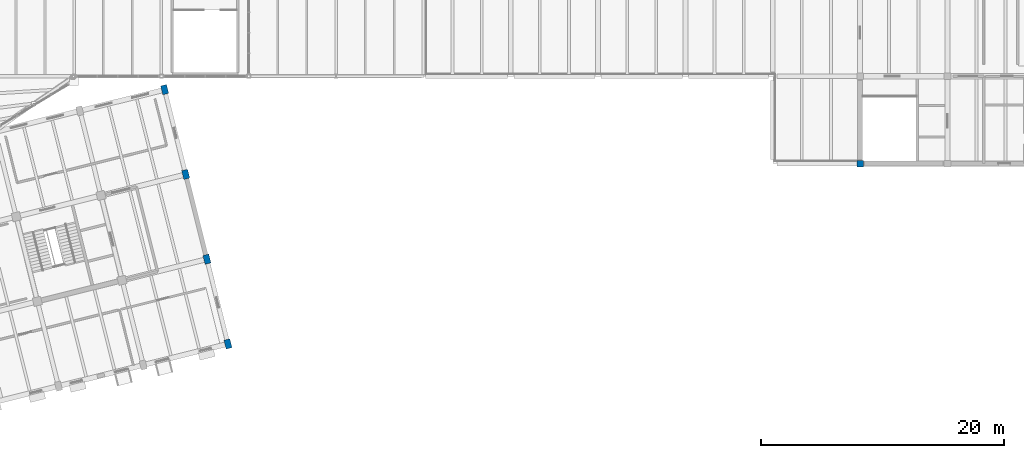
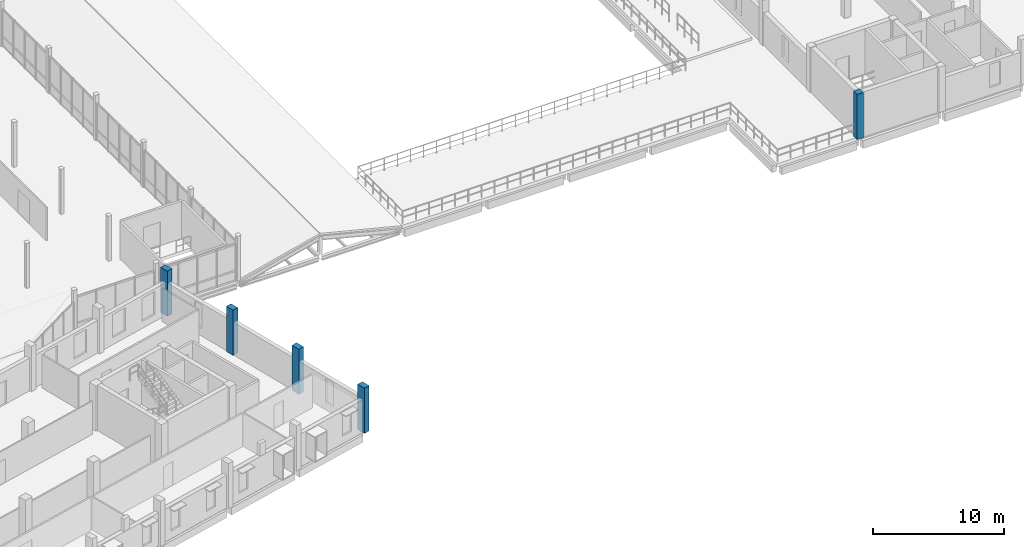
# One storey, part 4 of 63: 5 columns.
"""IFC4 building model written with IfcOpenShell, lengths in metres."""

from ifc_helpers import new_model, si_unit, direction, frame, origin, origin_2d, place, context, subcontext, project, spatial, rectangle, extrude, material, material_profile, profile_set, type_object, element, save


model = new_model("IFC4")

# Units and contexts
model_context = context("Model", 3, precision=1e-05, world=origin(), true_north=direction((0.0, 1.0)))
body_context = subcontext(model_context, "Body", "Model", "MODEL_VIEW")
ifc_project = project(units=[si_unit("LENGTHUNIT", "METRE"), si_unit("AREAUNIT", "SQUARE_METRE"), si_unit("VOLUMEUNIT", "CUBIC_METRE"), si_unit("PLANEANGLEUNIT", "RADIAN"), si_unit("MASSUNIT", "GRAM", prefix="KILO")], contexts=[model_context])

# Site, building, storey
site_placement = place(None, origin())
site = spatial("IfcSite", under=ifc_project, at=site_placement, CompositionType="ELEMENT")
building_placement = place(site_placement, origin())
building = spatial("IfcBuilding", under=site, at=building_placement, Name="Qiaolan Assembly House", CompositionType="ELEMENT")
storey_placement = place(building_placement, frame((0.0, 0.0, 14.39990234375)))
storey = spatial("IfcBuildingStorey", under=building, at=storey_placement, Name="L03", CompositionType="ELEMENT", Elevation=14.39990234375)

# Columns
ifc_material_1 = material(Name="Concrete C40/50", Category="concrete")
ifc_material_profile_1 = material_profile(ifc_material_1, rectangle(XDim=0.550048828125, YDim=0.550048828125, at=origin_2d()), Name="RC 550x550")
ifc_profile_set_1 = profile_set([ifc_material_profile_1], Name="Concrete C40/50")
column_type_1 = type_object("IfcColumnType", Name="COL-RC-550", PredefinedType="COLUMN", material=ifc_profile_set_1)
column_placement = place(storey_placement, frame((144.0, 28.800048828125, 0.0), z_axis=(0.0, 0.0, 1.0), x_axis=(1.0, 0.0, 0.0)))
element("IfcColumn", 1, at=column_placement, inside=storey, type_object=column_type_1, Name="RC-10 library column L03", PredefinedType="COLUMN", context=body_context, shape_type="SweptSolid", body=[
    extrude(rectangle(XDim=0.550048828125, YDim=0.550048828125, at=origin_2d()), origin(), (0.0, 0.0, 1.0), 4.2001953125),
])
ifc_material_2 = material(Name="Concrete C45/55", Category="concrete")
ifc_material_profile_2 = material_profile(ifc_material_2, rectangle(XDim=0.5, YDim=0.75, at=origin_2d()), Name="RC 750x500")
ifc_profile_set_2 = profile_set([ifc_material_profile_2], Name="Concrete C45/55")
column_type_2 = type_object("IfcColumnType", Name="COL-RC-750x500", PredefinedType="COLUMN", material=ifc_profile_set_2)
for number, where, z_axis, x_axis, name in (
    (2, (91.888916015625, 13.934814453125, 0.0), (0.0, 0.0, 1.0), (0.970295726276, 0.2419218956, 0.0), "RC-15 splayed column SE L03"),
    (3, (90.147216796875, 20.9208984375, 0.0), (0.0, 0.0, 1.0), (0.970295726276, 0.2419218956, 0.0), "RC-15 splayed column SE L03"),
    (4, (88.4052734375, 27.906982421875, 0.0), (0.0, 0.0, 1.0), (0.970295726276, 0.2419218956, 0.0), "RC-15 splayed column SE L03"),
    (5, (86.66357421875, 34.89306640625, 0.0), (0.0, 0.0, 1.0), (0.970295726276, 0.2419218956, 0.0), "RC-15 splayed column SE L03"),
):
    element("IfcColumn", number, at=place(storey_placement, frame(where, z_axis=z_axis, x_axis=x_axis)), inside=storey, type_object=column_type_2, Name=name, PredefinedType="COLUMN", context=body_context, shape_type="SweptSolid", body=[
        extrude(rectangle(XDim=0.5, YDim=0.75, at=origin_2d()), origin(), (0.0, 0.0, 1.0), 4.2001953125),
    ])

save(model, "model.ifc")
